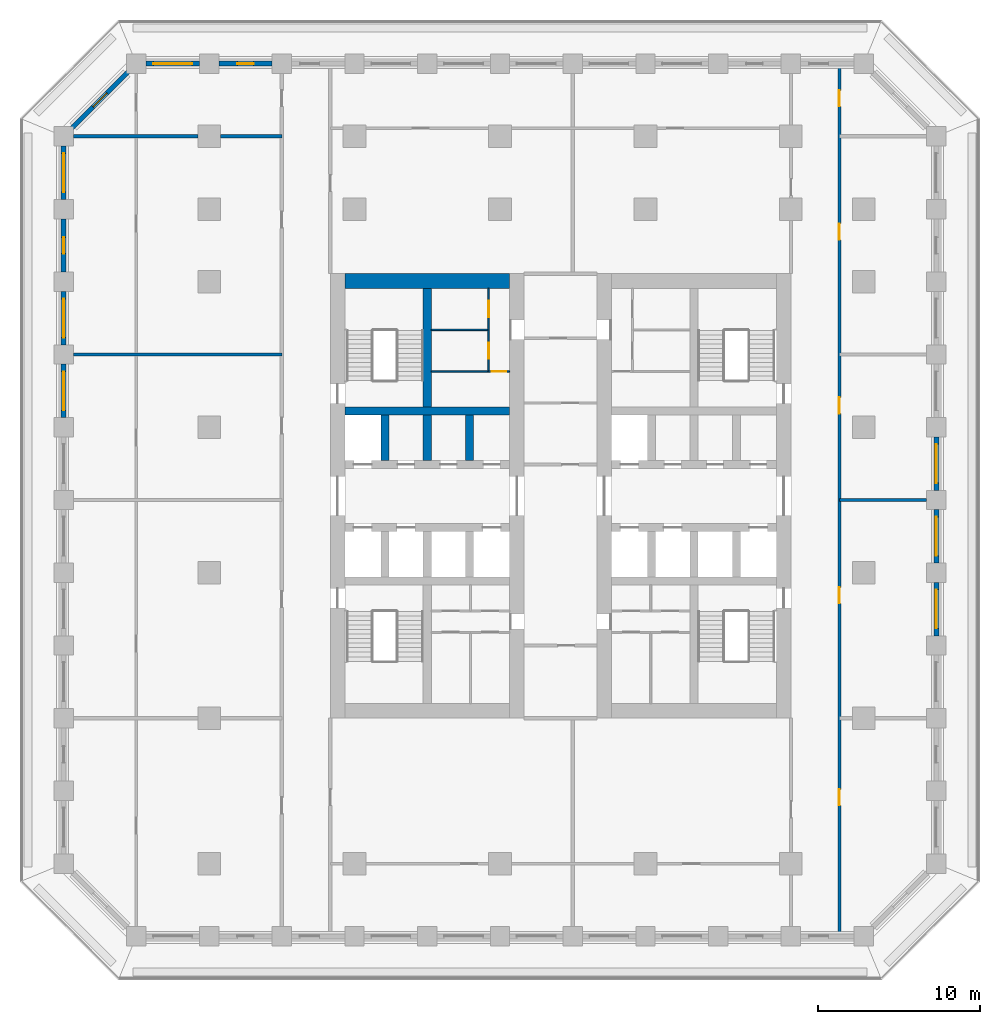
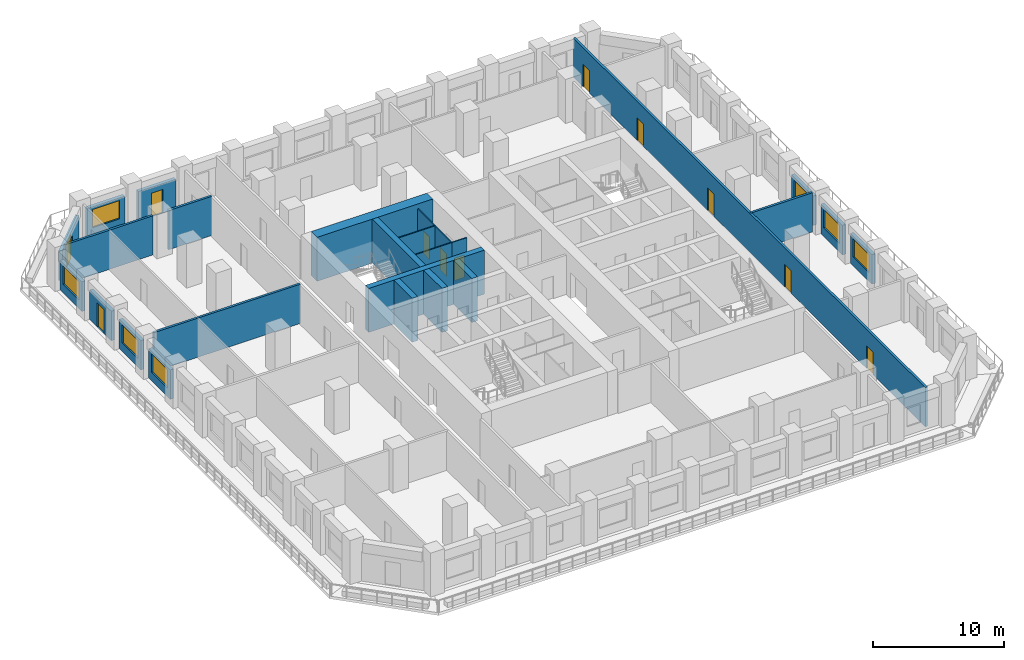
# One storey, part 6 of 16: 26 walls, 11 doors, 7 windows, 18 openings.
"""IFC4 building model written with IfcOpenShell, lengths in metres."""

from ifc_helpers import new_model, si_unit, direction, frame, frame_2d, origin, place, context, subcontext, project, spatial, rectangle, extrude, material, layer, layer_set, type_object, element, fill, save


model = new_model("IFC4")

# Units and contexts
model_context = context("Model", 3, precision=1e-05, world=origin(), true_north=direction((0.0, 1.0)))
body_context = subcontext(model_context, "Body", "Model", "MODEL_VIEW")
ifc_project = project(units=[si_unit("LENGTHUNIT", "METRE"), si_unit("AREAUNIT", "SQUARE_METRE"), si_unit("VOLUMEUNIT", "CUBIC_METRE"), si_unit("PLANEANGLEUNIT", "RADIAN"), si_unit("MASSUNIT", "GRAM", prefix="KILO")], contexts=[model_context])

# Site, building, storey
site_placement = place(None, origin())
site = spatial("IfcSite", under=ifc_project, at=site_placement, CompositionType="ELEMENT")
building_placement = place(site_placement, origin())
building = spatial("IfcBuilding", under=site, at=building_placement, Name="Corbel Stack Research Tower", CompositionType="ELEMENT")
storey_placement = place(building_placement, frame((0.0, 0.0, 137.199951171875)))
storey = spatial("IfcBuildingStorey", under=building, at=storey_placement, Name="L31", CompositionType="ELEMENT", Elevation=137.199951171875)

# Walls
ifc_material_1 = material(Name="Concrete C70/85", Category="concrete")
ifc_layer_1 = layer(ifc_material_1, 0.5)
ifc_layer_set_1 = layer_set([ifc_layer_1], Name="Concrete C70/85")
wall_type_1 = type_object("IfcWallType", Name="CW-500-70", PredefinedType="SHEAR", material=ifc_layer_set_1)
wall_1_placement = place(storey_placement, frame((-9.60009765625, 10.0, 0.0), z_axis=(0.0, 0.0, 1.0), x_axis=(1.0, 0.0, 0.0)))
element("IfcWall", 1, at=wall_1_placement, inside=storey, type_object=wall_type_1, Name="West core wall, north row back L31", PredefinedType="SHEAR", context=body_context, shape_type="SweptSolid", body=[
    extrude(rectangle(XDim=10.2001953125, YDim=0.5, at=frame_2d((5.10009765625, 0.0))), origin(), (0.0, 0.0, 1.0), 4.10009765625),
])
for number, where, z_axis, x_axis, name in (
    (2, (-7.125, 6.949951171875, 0.0), (0.0, 0.0, 1.0), (0.0, 1.0, 0.0), "West core wall, north shaft 1 L31"),
    (3, (-4.5, 6.949951171875, 0.0), (0.0, 0.0, 1.0), (0.0, 1.0, 0.0), "West core wall, north shaft 2 L31"),
    (4, (-1.875, 6.949951171875, 0.0), (0.0, 0.0, 1.0), (0.0, 1.0, 0.0), "West core wall, north shaft 3 L31"),
):
    element("IfcWall", number, at=place(storey_placement, frame(where, z_axis=z_axis, x_axis=x_axis)), inside=storey, type_object=wall_type_1, Name=name, PredefinedType="SHEAR", context=body_context, shape_type="SweptSolid", body=[
        extrude(rectangle(XDim=2.800048828125, YDim=0.5, at=frame_2d((1.39990234375, 0.0))), origin(), (0.0, 0.0, 1.0), 4.10009765625),
    ])
wall_2_placement = place(storey_placement, frame((-4.5, 10.25, 0.0), z_axis=(0.0, 0.0, 1.0), x_axis=(0.0, 1.0, 0.0)))
element("IfcWall", 5, at=wall_2_placement, inside=storey, type_object=wall_type_1, Name="West core wall, north stair and riser L31", PredefinedType="SHEAR", context=body_context, shape_type="SweptSolid", body=[
    extrude(rectangle(XDim=7.35009765625, YDim=0.5, at=frame_2d((3.675048828125, 0.0))), origin(), (0.0, 0.0, 1.0), 4.10009765625),
])
ifc_material_2 = material(Name="Concrete C70/85", Category="concrete")
ifc_layer_2 = layer(ifc_material_2, 0.89990234375)
ifc_layer_set_2 = layer_set([ifc_layer_2], Name="Concrete C70/85")
wall_type_2 = type_object("IfcWallType", Name="CW-900-70", PredefinedType="SHEAR", material=ifc_layer_set_2)
wall_3_placement = place(storey_placement, frame((-9.60009765625, 18.050048828125, 0.0), z_axis=(0.0, 0.0, 1.0), x_axis=(1.0, 0.0, 0.0)))
element("IfcWall", 6, at=wall_3_placement, inside=storey, type_object=wall_type_2, Name="West core wall, north end L31", PredefinedType="SHEAR", context=body_context, shape_type="SweptSolid", body=[
    extrude(rectangle(XDim=10.2001953125, YDim=0.89990234375, at=frame_2d((5.10009765625, 0.0))), origin(), (0.0, 0.0, 1.0), 4.10009765625),
])

# Wall, opening, door
ifc_material_3 = material(Name="Gypsum board")
ifc_layer_3 = layer(ifc_material_3, 0.10009765625)
ifc_layer_set_3 = layer_set([ifc_layer_3], Name="Gypsum board")
wall_type_3 = type_object("IfcWallType", Name="Core partition 100", PredefinedType="PARTITIONING", material=ifc_layer_set_3)
wall_4_placement = place(storey_placement, frame((-0.699951171875, 12.455078125, 0.0), z_axis=(0.0, 0.0, 1.0), x_axis=(1.0, 0.0, 0.0)))
wall_4 = element("IfcWall", 7, at=wall_4_placement, inside=storey, type_object=wall_type_3, Name="Core partition W", PredefinedType="PARTITIONING", context=body_context, shape_type="SweptSolid", body=[
    extrude(rectangle(XDim=1.300048828125, YDim=0.10009765625, at=frame_2d((0.64990234375, 0.0))), origin(), (0.0, 0.0, 1.0), 3.650146484375),
])
opening_1_placement = place(wall_4_placement, frame((0.199951171875, 0.0, 0.0)))
opening_1 = element("IfcOpeningElement", 8, at=opening_1_placement, cuts=wall_4, Name="Opening CR-W54-R1-900", PredefinedType="OPENING", context=body_context, shape_type="SweptSolid", body=[
    extrude(rectangle(XDim=0.89990234375, YDim=2.10009765625, at=frame_2d((0.449951171875, 1.050048828125))), frame((0.0, 0.06005859375, 0.0), z_axis=(0.0, -1.0, 0.0), x_axis=(1.0, 0.0, 0.0)), (0.0, 0.0, 1.0), 0.1201171875),
])
ifc_material_4 = material(Name="Painted steel door", Category="steel")
door_type_1 = type_object("IfcDoorType", Name="Riser door 900 x 2100 FD60 left hand", OperationType="SINGLE_SWING_LEFT", PredefinedType="DOOR", material=ifc_material_4)
door_1_placement = place(opening_1_placement, origin())
door_1 = element("IfcDoor", 9, at=door_1_placement, inside=storey, type_object=door_type_1, Name="Electrical riser door W core", OperationType="SINGLE_SWING_LEFT", OverallHeight=2.10009765625, OverallWidth=0.89990234375, PredefinedType="DOOR", context=body_context, shape_type="SweptSolid", body=[
    extrude(rectangle(XDim=0.89990234375, YDim=2.10009765625, at=frame_2d((0.449951171875, 1.050048828125))), frame((0.0, 0.02490234375, 0.0), z_axis=(0.0, -1.0, 0.0), x_axis=(1.0, 0.0, 0.0)), (0.0, 0.0, 1.0), 0.050048828125),
])
fill(opening_1, door_1)

# Wall
wall_5_placement = place(storey_placement, frame((-4.25, 12.455078125, 0.0), z_axis=(0.0, 0.0, 1.0), x_axis=(1.0, 0.0, 0.0)))
element("IfcWall", 10, at=wall_5_placement, inside=storey, type_object=wall_type_3, Name="Core partition W", PredefinedType="PARTITIONING", context=body_context, shape_type="SweptSolid", body=[
    extrude(rectangle(XDim=3.550048828125, YDim=0.10009765625, at=frame_2d((1.77490234375, 0.0))), origin(), (0.0, 0.0, 1.0), 3.650146484375),
])

# Wall, opening, door
wall_6_placement = place(storey_placement, frame((-0.699951171875, 12.455078125, 0.0), z_axis=(0.0, 0.0, 1.0), x_axis=(0.0, 1.0, 0.0)))
wall_6 = element("IfcWall", 11, at=wall_6_placement, inside=storey, type_object=wall_type_3, Name="Core partition W", PredefinedType="PARTITIONING", context=body_context, shape_type="SweptSolid", body=[
    extrude(rectangle(XDim=2.572509765625, YDim=0.10009765625, at=frame_2d((1.2861328125, 0.0))), origin(), (0.0, 0.0, 1.0), 3.650146484375),
])
opening_2_placement = place(wall_6_placement, frame((0.786376953125, 0.0, 0.0)))
opening_2 = element("IfcOpeningElement", 12, at=opening_2_placement, cuts=wall_6, Name="Opening CR-W54-R3-1000", PredefinedType="OPENING", context=body_context, shape_type="SweptSolid", body=[
    extrude(rectangle(XDim=1.0, YDim=2.10009765625, at=frame_2d((0.5, 1.050048828125))), frame((0.0, 0.06005859375, 0.0), z_axis=(0.0, -1.0, 0.0), x_axis=(1.0, 0.0, 0.0)), (0.0, 0.0, 1.0), 0.1201171875),
])
ifc_material_5 = material(Name="Painted steel door", Category="steel")
door_type_2 = type_object("IfcDoorType", Name="Service door 1000 x 2100 FD30 left hand", OperationType="SINGLE_SWING_LEFT", PredefinedType="DOOR", material=ifc_material_5)
door_2_placement = place(opening_2_placement, origin())
door_2 = element("IfcDoor", 13, at=door_2_placement, inside=storey, type_object=door_type_2, Name="Pantry door W core", OperationType="SINGLE_SWING_LEFT", OverallHeight=2.10009765625, OverallWidth=1.0, PredefinedType="DOOR", context=body_context, shape_type="SweptSolid", body=[
    extrude(rectangle(XDim=1.0, YDim=2.10009765625, at=frame_2d((0.5, 1.050048828125))), frame((0.0, 0.02490234375, 0.0), z_axis=(0.0, -1.0, 0.0), x_axis=(1.0, 0.0, 0.0)), (0.0, 0.0, 1.0), 0.050048828125),
])
fill(opening_2, door_2)

wall_7_placement = place(storey_placement, frame((-0.699951171875, 15.027587890625, 0.0), z_axis=(0.0, 0.0, 1.0), x_axis=(0.0, 1.0, 0.0)))
wall_7 = element("IfcWall", 14, at=wall_7_placement, inside=storey, type_object=wall_type_3, Name="Core partition W", PredefinedType="PARTITIONING", context=body_context, shape_type="SweptSolid", body=[
    extrude(rectangle(XDim=2.572509765625, YDim=0.10009765625, at=frame_2d((1.2861328125, 0.0))), origin(), (0.0, 0.0, 1.0), 3.650146484375),
])
opening_3_placement = place(wall_7_placement, frame((0.7861328125, 0.0, 0.0)))
opening_3 = element("IfcOpeningElement", 15, at=opening_3_placement, cuts=wall_7, Name="Opening CR-W54-R4-1000", PredefinedType="OPENING", context=body_context, shape_type="SweptSolid", body=[
    extrude(rectangle(XDim=1.0, YDim=2.10009765625, at=frame_2d((0.5, 1.050048828125))), frame((0.0, 0.06005859375, 0.0), z_axis=(0.0, -1.0, 0.0), x_axis=(1.0, 0.0, 0.0)), (0.0, 0.0, 1.0), 0.1201171875),
])
ifc_material_6 = material(Name="Painted steel door", Category="steel")
door_type_3 = type_object("IfcDoorType", Name="Service door 1000 x 2100 FD30 right hand", OperationType="SINGLE_SWING_RIGHT", PredefinedType="DOOR", material=ifc_material_6)
door_3_placement = place(opening_3_placement, origin())
door_3 = element("IfcDoor", 16, at=door_3_placement, inside=storey, type_object=door_type_3, Name="Copy and supply store door W core", OperationType="SINGLE_SWING_RIGHT", OverallHeight=2.10009765625, OverallWidth=1.0, PredefinedType="DOOR", context=body_context, shape_type="SweptSolid", body=[
    extrude(rectangle(XDim=1.0, YDim=2.10009765625, at=frame_2d((0.5, 1.050048828125))), frame((0.0, 0.02490234375, 0.0), z_axis=(0.0, -1.0, 0.0), x_axis=(1.0, 0.0, 0.0)), (0.0, 0.0, 1.0), 0.050048828125),
])
fill(opening_3, door_3)

# Wall
wall_8_placement = place(storey_placement, frame((-4.25, 15.027587890625, 0.0), z_axis=(0.0, 0.0, 1.0), x_axis=(1.0, 0.0, 0.0)))
element("IfcWall", 17, at=wall_8_placement, inside=storey, type_object=wall_type_3, Name="Core partition W", PredefinedType="PARTITIONING", context=body_context, shape_type="SweptSolid", body=[
    extrude(rectangle(XDim=3.550048828125, YDim=0.10009765625, at=frame_2d((1.77490234375, 0.0))), origin(), (0.0, 0.0, 1.0), 3.650146484375),
])

# Wall, openings, doors
ifc_material_7 = material(Name="Fire-rated gypsum board partition on steel studs", Category="steel")
ifc_layer_4 = layer(ifc_material_7, 0.199951171875)
ifc_layer_set_4 = layer_set([ifc_layer_4], Name="Fire-rated gypsum board partition on steel studs")
wall_type_4 = type_object("IfcWallType", Name="Fire-rated partition 200 EI 60", PredefinedType="PARTITIONING", material=ifc_layer_set_4)
wall_9_placement = place(storey_placement, frame((21.0, 31.35009765625, 0.0), z_axis=(0.0, 0.0, 1.0), x_axis=(0.0, -1.0, 0.0)))
wall_9 = element("IfcWall", 18, at=wall_9_placement, inside=storey, type_object=wall_type_4, Name="Partition L31-012", PredefinedType="PARTITIONING", context=body_context, shape_type="SweptSolid", body=[
    extrude(rectangle(XDim=53.7001953125, YDim=0.199951171875, at=frame_2d((26.85009765625, 0.0))), origin(), (0.0, 0.0, 1.0), 3.650146484375),
])
opening_4_placement = place(wall_9_placement, frame((44.75, 0.0, 0.0)))
opening_4 = element("IfcOpeningElement", 19, at=opening_4_placement, cuts=wall_9, Name="Opening B4V2-021", PredefinedType="OPENING", context=body_context, shape_type="SweptSolid", body=[
    extrude(rectangle(XDim=1.0, YDim=2.10009765625, at=frame_2d((0.5, 1.050048828125))), frame((0.0, 0.10986328125, 0.0), z_axis=(0.0, -1.0, 0.0), x_axis=(1.0, 0.0, 0.0)), (0.0, 0.0, 1.0), 0.219970703125),
])
opening_5_placement = place(wall_9_placement, frame((32.25, 0.0, 0.0)))
opening_5 = element("IfcOpeningElement", 20, at=opening_5_placement, cuts=wall_9, Name="Opening B4V2-022", PredefinedType="OPENING", context=body_context, shape_type="SweptSolid", body=[
    extrude(rectangle(XDim=1.0, YDim=2.10009765625, at=frame_2d((0.5, 1.050048828125))), frame((0.0, 0.10986328125, 0.0), z_axis=(0.0, -1.0, 0.0), x_axis=(1.0, 0.0, 0.0)), (0.0, 0.0, 1.0), 0.219970703125),
])
opening_6_placement = place(wall_9_placement, frame((20.5, 0.0, 0.0)))
opening_6 = element("IfcOpeningElement", 21, at=opening_6_placement, cuts=wall_9, Name="Opening B4V2-023", PredefinedType="OPENING", context=body_context, shape_type="SweptSolid", body=[
    extrude(rectangle(XDim=1.0, YDim=2.10009765625, at=frame_2d((0.5, 1.050048828125))), frame((0.0, 0.10986328125, 0.0), z_axis=(0.0, -1.0, 0.0), x_axis=(1.0, 0.0, 0.0)), (0.0, 0.0, 1.0), 0.219970703125),
])
opening_7_placement = place(wall_9_placement, frame((9.75, 0.0, 0.0)))
opening_7 = element("IfcOpeningElement", 22, at=opening_7_placement, cuts=wall_9, Name="Opening B4V2-024", PredefinedType="OPENING", context=body_context, shape_type="SweptSolid", body=[
    extrude(rectangle(XDim=1.0, YDim=2.10009765625, at=frame_2d((0.5, 1.050048828125))), frame((0.0, 0.10986328125, 0.0), z_axis=(0.0, -1.0, 0.0), x_axis=(1.0, 0.0, 0.0)), (0.0, 0.0, 1.0), 0.219970703125),
])
opening_8_placement = place(wall_9_placement, frame((1.5, 0.0, 0.0)))
opening_8 = element("IfcOpeningElement", 23, at=opening_8_placement, cuts=wall_9, Name="Opening B4V2-025", PredefinedType="OPENING", context=body_context, shape_type="SweptSolid", body=[
    extrude(rectangle(XDim=1.0, YDim=2.10009765625, at=frame_2d((0.5, 1.050048828125))), frame((0.0, 0.10986328125, 0.0), z_axis=(0.0, -1.0, 0.0), x_axis=(1.0, 0.0, 0.0)), (0.0, 0.0, 1.0), 0.219970703125),
])
ifc_material_8 = material(Name="Painted steel fire door", Category="steel")
door_type_4 = type_object("IfcDoorType", Name="Fire door FD30S 1000 x 2100", OperationType="NOTDEFINED", PredefinedType="DOOR", material=ifc_material_8)
door_4_placement = place(opening_4_placement, origin())
door_4 = element("IfcDoor", 24, at=door_4_placement, inside=storey, type_object=door_type_4, Name="Door B4V2-021", OperationType="SINGLE_SWING_RIGHT", OverallHeight=2.10009765625, OverallWidth=1.0, PredefinedType="DOOR", context=body_context, shape_type="SweptSolid", body=[
    extrude(rectangle(XDim=1.0, YDim=2.10009765625, at=frame_2d((0.5, 1.050048828125))), frame((0.0, 0.02490234375, 0.0), z_axis=(0.0, -1.0, 0.0), x_axis=(1.0, 0.0, 0.0)), (0.0, 0.0, 1.0), 0.050048828125),
])
fill(opening_4, door_4)
door_5_placement = place(opening_5_placement, origin())
door_5 = element("IfcDoor", 25, at=door_5_placement, inside=storey, type_object=door_type_4, Name="Door B4V2-022", OperationType="SINGLE_SWING_RIGHT", OverallHeight=2.10009765625, OverallWidth=1.0, PredefinedType="DOOR", context=body_context, shape_type="SweptSolid", body=[
    extrude(rectangle(XDim=1.0, YDim=2.10009765625, at=frame_2d((0.5, 1.050048828125))), frame((0.0, 0.02490234375, 0.0), z_axis=(0.0, -1.0, 0.0), x_axis=(1.0, 0.0, 0.0)), (0.0, 0.0, 1.0), 0.050048828125),
])
fill(opening_5, door_5)
door_6_placement = place(opening_6_placement, origin())
door_6 = element("IfcDoor", 26, at=door_6_placement, inside=storey, type_object=door_type_4, Name="Door B4V2-023", OperationType="SINGLE_SWING_LEFT", OverallHeight=2.10009765625, OverallWidth=1.0, PredefinedType="DOOR", context=body_context, shape_type="SweptSolid", body=[
    extrude(rectangle(XDim=1.0, YDim=2.10009765625, at=frame_2d((0.5, 1.050048828125))), frame((0.0, 0.02490234375, 0.0), z_axis=(0.0, -1.0, 0.0), x_axis=(1.0, 0.0, 0.0)), (0.0, 0.0, 1.0), 0.050048828125),
])
fill(opening_6, door_6)
door_7_placement = place(opening_7_placement, origin())
door_7 = element("IfcDoor", 27, at=door_7_placement, inside=storey, type_object=door_type_4, Name="Door B4V2-024", OperationType="SINGLE_SWING_LEFT", OverallHeight=2.10009765625, OverallWidth=1.0, PredefinedType="DOOR", context=body_context, shape_type="SweptSolid", body=[
    extrude(rectangle(XDim=1.0, YDim=2.10009765625, at=frame_2d((0.5, 1.050048828125))), frame((0.0, 0.02490234375, 0.0), z_axis=(0.0, -1.0, 0.0), x_axis=(1.0, 0.0, 0.0)), (0.0, 0.0, 1.0), 0.050048828125),
])
fill(opening_7, door_7)
door_8_placement = place(opening_8_placement, origin())
door_8 = element("IfcDoor", 28, at=door_8_placement, inside=storey, type_object=door_type_4, Name="Door B4V2-025", OperationType="SINGLE_SWING_LEFT", OverallHeight=2.10009765625, OverallWidth=1.0, PredefinedType="DOOR", context=body_context, shape_type="SweptSolid", body=[
    extrude(rectangle(XDim=1.0, YDim=2.10009765625, at=frame_2d((0.5, 1.050048828125))), frame((0.0, 0.02490234375, 0.0), z_axis=(0.0, -1.0, 0.0), x_axis=(1.0, 0.0, 0.0)), (0.0, 0.0, 1.0), 0.050048828125),
])
fill(opening_8, door_8)

# Walls
wall_10_placement = place(storey_placement, frame((21.0, 4.5, 0.0), z_axis=(0.0, 0.0, 1.0), x_axis=(1.0, 0.0, 0.0)))
element("IfcWall", 29, at=wall_10_placement, inside=storey, type_object=wall_type_4, Name="Partition L31-024", PredefinedType="PARTITIONING", context=body_context, shape_type="SweptSolid", body=[
    extrude(rectangle(XDim=5.39990234375, YDim=0.199951171875, at=frame_2d((2.699951171875, 0.0))), origin(), (0.0, 0.0, 1.0), 3.650146484375),
])
wall_11_placement = place(storey_placement, frame((-26.39990234375, 13.5, 0.0), z_axis=(0.0, 0.0, 1.0), x_axis=(1.0, 0.0, 0.0)))
element("IfcWall", 30, at=wall_11_placement, inside=storey, type_object=wall_type_4, Name="Partition L31-027", PredefinedType="PARTITIONING", context=body_context, shape_type="SweptSolid", body=[
    extrude(rectangle(XDim=12.89990234375, YDim=0.199951171875, at=frame_2d((6.449951171875, 0.0))), origin(), (0.0, 0.0, 1.0), 3.650146484375),
])
wall_12_placement = place(storey_placement, frame((-26.39990234375, 27.0, 0.0), z_axis=(0.0, 0.0, 1.0), x_axis=(1.0, 0.0, 0.0)))
element("IfcWall", 31, at=wall_12_placement, inside=storey, type_object=wall_type_4, Name="Partition L31-031", PredefinedType="PARTITIONING", context=body_context, shape_type="SweptSolid", body=[
    extrude(rectangle(XDim=7.699951171875, YDim=0.199951171875, at=frame_2d((3.85009765625, 0.0))), origin(), (0.0, 0.0, 1.0), 3.650146484375),
])
wall_13_placement = place(storey_placement, frame((-17.300048828125, 27.0, 0.0), z_axis=(0.0, 0.0, 1.0), x_axis=(1.0, 0.0, 0.0)))
element("IfcWall", 32, at=wall_13_placement, inside=storey, type_object=wall_type_4, Name="Partition L31-032", PredefinedType="PARTITIONING", context=body_context, shape_type="SweptSolid", body=[
    extrude(rectangle(XDim=3.800048828125, YDim=0.199951171875, at=frame_2d((1.89990234375, 0.0))), origin(), (0.0, 0.0, 1.0), 3.650146484375),
])

# Wall, opening, window
ifc_material_9 = material(Name="Concrete C45/55", Category="concrete")
ifc_layer_5 = layer(ifc_material_9, 0.300048828125)
ifc_layer_set_5 = layer_set([ifc_layer_5], Name="Concrete C45/55")
wall_type_5 = type_object("IfcWallType", Name="Terracotta-faced concrete wall 300", PredefinedType="SOLIDWALL", material=ifc_layer_set_5)
wall_14_placement = place(storey_placement, frame((27.0, -0.60009765625, 0.0), z_axis=(0.0, 0.0, 1.0), x_axis=(0.0, -1.0, 0.0)))
wall_14 = element("IfcWall", 33, at=wall_14_placement, inside=storey, type_object=wall_type_5, Name="Facade wall L31 E04", PredefinedType="SOLIDWALL", context=body_context, shape_type="SweptSolid", body=[
    extrude(rectangle(XDim=3.2998046875, YDim=0.300048828125, at=frame_2d((1.64990234375, 0.0))), origin(), (0.0, 0.0, 1.0), 2.75),
])
opening_9_placement = place(wall_14_placement, frame((0.449951171875, 0.0, 0.800048828125)))
opening_9 = element("IfcOpeningElement", 34, at=opening_9_placement, cuts=wall_14, Name="Opening W1", PredefinedType="OPENING", context=body_context, shape_type="SweptSolid", body=[
    extrude(rectangle(XDim=2.39990234375, YDim=1.699951171875, at=frame_2d((1.199951171875, 0.85009765625))), frame((0.0, 0.159912109375, 0.0), z_axis=(0.0, -1.0, 0.0), x_axis=(1.0, 0.0, 0.0)), (0.0, 0.0, 1.0), 0.320068359375),
])
ifc_material_10 = material(Name="Aluminium frame, clear double glazing", Category="aluminium")
window_type = type_object("IfcWindowType", Name="Window W1 2400 x 1700", PartitioningType="SINGLE_PANEL", PredefinedType="WINDOW", material=ifc_material_10)
window_1_placement = place(opening_9_placement, origin())
window_1 = element("IfcWindow", 35, at=window_1_placement, inside=storey, type_object=window_type, Name="Window W1 L31 E04", OverallHeight=1.699951171875, OverallWidth=2.39990234375, PartitioningType="SINGLE_PANEL", PredefinedType="WINDOW", context=body_context, shape_type="SweptSolid", body=[
    extrude(rectangle(XDim=2.39990234375, YDim=1.699951171875, at=frame_2d((1.199951171875, 0.85009765625))), frame((0.0, 0.030029296875, 0.0), z_axis=(0.0, -1.0, 0.0), x_axis=(1.0, 0.0, 0.0)), (0.0, 0.0, 1.0), 0.06005859375),
])
fill(opening_9, window_1)

wall_15_placement = place(storey_placement, frame((27.0, 3.89990234375, 0.0), z_axis=(0.0, 0.0, 1.0), x_axis=(0.0, -1.0, 0.0)))
wall_15 = element("IfcWall", 36, at=wall_15_placement, inside=storey, type_object=wall_type_5, Name="Facade wall L31 E05", PredefinedType="SOLIDWALL", context=body_context, shape_type="SweptSolid", body=[
    extrude(rectangle(XDim=3.2998046875, YDim=0.300048828125, at=frame_2d((1.64990234375, 0.0))), origin(), (0.0, 0.0, 1.0), 2.75),
])
opening_10_placement = place(wall_15_placement, frame((0.449951171875, 0.0, 0.800048828125)))
opening_10 = element("IfcOpeningElement", 37, at=opening_10_placement, cuts=wall_15, Name="Opening W1", PredefinedType="OPENING", context=body_context, shape_type="SweptSolid", body=[
    extrude(rectangle(XDim=2.39990234375, YDim=1.699951171875, at=frame_2d((1.199951171875, 0.85009765625))), frame((0.0, 0.159912109375, 0.0), z_axis=(0.0, -1.0, 0.0), x_axis=(1.0, 0.0, 0.0)), (0.0, 0.0, 1.0), 0.320068359375),
])
window_2_placement = place(opening_10_placement, origin())
window_2 = element("IfcWindow", 38, at=window_2_placement, inside=storey, type_object=window_type, Name="Window W1 L31 E05", OverallHeight=1.699951171875, OverallWidth=2.39990234375, PartitioningType="SINGLE_PANEL", PredefinedType="WINDOW", context=body_context, shape_type="SweptSolid", body=[
    extrude(rectangle(XDim=2.39990234375, YDim=1.699951171875, at=frame_2d((1.199951171875, 0.85009765625))), frame((0.0, 0.030029296875, 0.0), z_axis=(0.0, -1.0, 0.0), x_axis=(1.0, 0.0, 0.0)), (0.0, 0.0, 1.0), 0.06005859375),
])
fill(opening_10, window_2)

wall_16_placement = place(storey_placement, frame((27.0, 8.39990234375, 0.0), z_axis=(0.0, 0.0, 1.0), x_axis=(0.0, -1.0, 0.0)))
wall_16 = element("IfcWall", 39, at=wall_16_placement, inside=storey, type_object=wall_type_5, Name="Facade wall L31 E06", PredefinedType="SOLIDWALL", context=body_context, shape_type="SweptSolid", body=[
    extrude(rectangle(XDim=3.2998046875, YDim=0.300048828125, at=frame_2d((1.64990234375, 0.0))), origin(), (0.0, 0.0, 1.0), 2.75),
])
opening_11_placement = place(wall_16_placement, frame((0.449951171875, 0.0, 0.800048828125)))
opening_11 = element("IfcOpeningElement", 40, at=opening_11_placement, cuts=wall_16, Name="Opening W1", PredefinedType="OPENING", context=body_context, shape_type="SweptSolid", body=[
    extrude(rectangle(XDim=2.39990234375, YDim=1.699951171875, at=frame_2d((1.199951171875, 0.85009765625))), frame((0.0, 0.159912109375, 0.0), z_axis=(0.0, -1.0, 0.0), x_axis=(1.0, 0.0, 0.0)), (0.0, 0.0, 1.0), 0.320068359375),
])
window_3_placement = place(opening_11_placement, origin())
window_3 = element("IfcWindow", 41, at=window_3_placement, inside=storey, type_object=window_type, Name="Window W1 L31 E06", OverallHeight=1.699951171875, OverallWidth=2.39990234375, PartitioningType="SINGLE_PANEL", PredefinedType="WINDOW", context=body_context, shape_type="SweptSolid", body=[
    extrude(rectangle(XDim=2.39990234375, YDim=1.699951171875, at=frame_2d((1.199951171875, 0.85009765625))), frame((0.0, 0.030029296875, 0.0), z_axis=(0.0, -1.0, 0.0), x_axis=(1.0, 0.0, 0.0)), (0.0, 0.0, 1.0), 0.06005859375),
])
fill(opening_11, window_3)

# Wall, opening, door
wall_17_placement = place(storey_placement, frame((-17.39990234375, 31.5, 0.0), z_axis=(0.0, 0.0, 1.0), x_axis=(1.0, 0.0, 0.0)))
wall_17 = element("IfcWall", 42, at=wall_17_placement, inside=storey, type_object=wall_type_5, Name="Facade wall L31 N09", PredefinedType="SOLIDWALL", context=body_context, shape_type="SweptSolid", body=[
    extrude(rectangle(XDim=3.2998046875, YDim=0.300048828125, at=frame_2d((1.64990234375, 0.0))), origin(), (0.0, 0.0, 1.0), 2.75),
])
opening_12_placement = place(wall_17_placement, frame((1.14990234375, 0.0, 0.0)))
opening_12 = element("IfcOpeningElement", 43, at=opening_12_placement, cuts=wall_17, Name="Opening L31-B08", PredefinedType="OPENING", context=body_context, shape_type="SweptSolid", body=[
    extrude(rectangle(XDim=1.0, YDim=2.199951171875, at=frame_2d((0.5, 1.10009765625))), frame((0.0, 0.159912109375, 0.0), z_axis=(0.0, -1.0, 0.0), x_axis=(1.0, 0.0, 0.0)), (0.0, 0.0, 1.0), 0.320068359375),
])
ifc_material_11 = material(Name="Aluminium frame, clear double glazing", Category="aluminium")
door_type_5 = type_object("IfcDoorType", Name="Balcony door BD1 1000 x 2200", OperationType="NOTDEFINED", PredefinedType="DOOR", material=ifc_material_11)
door_9_placement = place(opening_12_placement, origin())
door_9 = element("IfcDoor", 44, at=door_9_placement, inside=storey, type_object=door_type_5, Name="Balcony door L31-B08", OperationType="SINGLE_SWING_RIGHT", OverallHeight=2.199951171875, OverallWidth=1.0, PredefinedType="DOOR", context=body_context, shape_type="SweptSolid", body=[
    extrude(rectangle(XDim=1.0, YDim=2.199951171875, at=frame_2d((0.5, 1.10009765625))), frame((0.0, 0.02490234375, 0.0), z_axis=(0.0, -1.0, 0.0), x_axis=(1.0, 0.0, 0.0)), (0.0, 0.0, 1.0), 0.050048828125),
])
fill(opening_12, door_9)

# Wall, opening, window
wall_18_placement = place(storey_placement, frame((-21.89990234375, 31.5, 0.0), z_axis=(0.0, 0.0, 1.0), x_axis=(1.0, 0.0, 0.0)))
wall_18 = element("IfcWall", 45, at=wall_18_placement, inside=storey, type_object=wall_type_5, Name="Facade wall L31 N10", PredefinedType="SOLIDWALL", context=body_context, shape_type="SweptSolid", body=[
    extrude(rectangle(XDim=3.2998046875, YDim=0.300048828125, at=frame_2d((1.64990234375, 0.0))), origin(), (0.0, 0.0, 1.0), 2.75),
])
opening_13_placement = place(wall_18_placement, frame((0.449951171875, 0.0, 0.800048828125)))
opening_13 = element("IfcOpeningElement", 46, at=opening_13_placement, cuts=wall_18, Name="Opening W1", PredefinedType="OPENING", context=body_context, shape_type="SweptSolid", body=[
    extrude(rectangle(XDim=2.39990234375, YDim=1.699951171875, at=frame_2d((1.199951171875, 0.85009765625))), frame((0.0, 0.159912109375, 0.0), z_axis=(0.0, -1.0, 0.0), x_axis=(1.0, 0.0, 0.0)), (0.0, 0.0, 1.0), 0.320068359375),
])
window_4_placement = place(opening_13_placement, origin())
window_4 = element("IfcWindow", 47, at=window_4_placement, inside=storey, type_object=window_type, Name="Window W1 L31 N10", OverallHeight=1.699951171875, OverallWidth=2.39990234375, PartitioningType="SINGLE_PANEL", PredefinedType="WINDOW", context=body_context, shape_type="SweptSolid", body=[
    extrude(rectangle(XDim=2.39990234375, YDim=1.699951171875, at=frame_2d((1.199951171875, 0.85009765625))), frame((0.0, 0.030029296875, 0.0), z_axis=(0.0, -1.0, 0.0), x_axis=(1.0, 0.0, 0.0)), (0.0, 0.0, 1.0), 0.06005859375),
])
fill(opening_13, window_4)

# Wall, opening, door
wall_19_placement = place(storey_placement, frame((-26.506103515625, 27.493896484375, 0.0), z_axis=(0.0, 0.0, 1.0), x_axis=(0.707106781187, 0.707106781187, 0.0)))
wall_19 = element("IfcWall", 48, at=wall_19_placement, inside=storey, type_object=wall_type_5, Name="Facade wall L31 NW01", PredefinedType="SOLIDWALL", context=body_context, shape_type="SweptSolid", body=[
    extrude(rectangle(XDim=4.967041015625, YDim=0.300048828125, at=frame_2d((2.4833984375, 0.0))), origin(), (0.0, 0.0, 1.0), 2.75),
])
opening_14_placement = place(wall_19_placement, frame((1.883544921875, 0.0, 0.0)))
opening_14 = element("IfcOpeningElement", 49, at=opening_14_placement, cuts=wall_19, Name="Opening L31-B09", PredefinedType="OPENING", context=body_context, shape_type="SweptSolid", body=[
    extrude(rectangle(XDim=1.199951171875, YDim=2.199951171875, at=frame_2d((0.60009765625, 1.10009765625))), frame((0.0, 0.159912109375, 0.0), z_axis=(0.0, -1.0, 0.0), x_axis=(1.0, 0.0, 0.0)), (0.0, 0.0, 1.0), 0.320068359375),
])
ifc_material_12 = material(Name="Aluminium frame, clear double glazing", Category="aluminium")
door_type_6 = type_object("IfcDoorType", Name="Balcony door BD2 1200 x 2200", OperationType="NOTDEFINED", PredefinedType="DOOR", material=ifc_material_12)
door_10_placement = place(opening_14_placement, origin())
door_10 = element("IfcDoor", 50, at=door_10_placement, inside=storey, type_object=door_type_6, Name="Balcony door L31-B09", OperationType="SINGLE_SWING_RIGHT", OverallHeight=2.199951171875, OverallWidth=1.199951171875, PredefinedType="DOOR", context=body_context, shape_type="SweptSolid", body=[
    extrude(rectangle(XDim=1.199951171875, YDim=2.199951171875, at=frame_2d((0.60009765625, 1.10009765625))), frame((0.0, 0.02490234375, 0.0), z_axis=(0.0, -1.0, 0.0), x_axis=(1.0, 0.0, 0.0)), (0.0, 0.0, 1.0), 0.050048828125),
])
fill(opening_14, door_10)

# Wall, opening, window
wall_20_placement = place(storey_placement, frame((-27.0, 23.10009765625, 0.0), z_axis=(0.0, 0.0, 1.0), x_axis=(0.0, 1.0, 0.0)))
wall_20 = element("IfcWall", 51, at=wall_20_placement, inside=storey, type_object=wall_type_5, Name="Facade wall L31 W01", PredefinedType="SOLIDWALL", context=body_context, shape_type="SweptSolid", body=[
    extrude(rectangle(XDim=3.2998046875, YDim=0.300048828125, at=frame_2d((1.64990234375, 0.0))), origin(), (0.0, 0.0, 1.0), 2.75),
])
opening_15_placement = place(wall_20_placement, frame((0.449951171875, 0.0, 0.800048828125)))
opening_15 = element("IfcOpeningElement", 52, at=opening_15_placement, cuts=wall_20, Name="Opening W1", PredefinedType="OPENING", context=body_context, shape_type="SweptSolid", body=[
    extrude(rectangle(XDim=2.39990234375, YDim=1.699951171875, at=frame_2d((1.199951171875, 0.85009765625))), frame((0.0, 0.159912109375, 0.0), z_axis=(0.0, -1.0, 0.0), x_axis=(1.0, 0.0, 0.0)), (0.0, 0.0, 1.0), 0.320068359375),
])
window_5_placement = place(opening_15_placement, origin())
window_5 = element("IfcWindow", 53, at=window_5_placement, inside=storey, type_object=window_type, Name="Window W1 L31 W01", OverallHeight=1.699951171875, OverallWidth=2.39990234375, PartitioningType="SINGLE_PANEL", PredefinedType="WINDOW", context=body_context, shape_type="SweptSolid", body=[
    extrude(rectangle(XDim=2.39990234375, YDim=1.699951171875, at=frame_2d((1.199951171875, 0.85009765625))), frame((0.0, 0.030029296875, 0.0), z_axis=(0.0, -1.0, 0.0), x_axis=(1.0, 0.0, 0.0)), (0.0, 0.0, 1.0), 0.06005859375),
])
fill(opening_15, window_5)

# Wall, opening, door
wall_21_placement = place(storey_placement, frame((-27.0, 18.60009765625, 0.0), z_axis=(0.0, 0.0, 1.0), x_axis=(0.0, 1.0, 0.0)))
wall_21 = element("IfcWall", 54, at=wall_21_placement, inside=storey, type_object=wall_type_5, Name="Facade wall L31 W02", PredefinedType="SOLIDWALL", context=body_context, shape_type="SweptSolid", body=[
    extrude(rectangle(XDim=3.2998046875, YDim=0.300048828125, at=frame_2d((1.64990234375, 0.0))), origin(), (0.0, 0.0, 1.0), 2.75),
])
opening_16_placement = place(wall_21_placement, frame((1.14990234375, 0.0, 0.0)))
opening_16 = element("IfcOpeningElement", 55, at=opening_16_placement, cuts=wall_21, Name="Opening L31-B10", PredefinedType="OPENING", context=body_context, shape_type="SweptSolid", body=[
    extrude(rectangle(XDim=1.0, YDim=2.199951171875, at=frame_2d((0.5, 1.10009765625))), frame((0.0, 0.159912109375, 0.0), z_axis=(0.0, -1.0, 0.0), x_axis=(1.0, 0.0, 0.0)), (0.0, 0.0, 1.0), 0.320068359375),
])
door_11_placement = place(opening_16_placement, origin())
door_11 = element("IfcDoor", 56, at=door_11_placement, inside=storey, type_object=door_type_5, Name="Balcony door L31-B10", OperationType="SINGLE_SWING_LEFT", OverallHeight=2.199951171875, OverallWidth=1.0, PredefinedType="DOOR", context=body_context, shape_type="SweptSolid", body=[
    extrude(rectangle(XDim=1.0, YDim=2.199951171875, at=frame_2d((0.5, 1.10009765625))), frame((0.0, 0.02490234375, 0.0), z_axis=(0.0, -1.0, 0.0), x_axis=(1.0, 0.0, 0.0)), (0.0, 0.0, 1.0), 0.050048828125),
])
fill(opening_16, door_11)

# Wall, opening, window
wall_22_placement = place(storey_placement, frame((-27.0, 14.10009765625, 0.0), z_axis=(0.0, 0.0, 1.0), x_axis=(0.0, 1.0, 0.0)))
wall_22 = element("IfcWall", 57, at=wall_22_placement, inside=storey, type_object=wall_type_5, Name="Facade wall L31 W03", PredefinedType="SOLIDWALL", context=body_context, shape_type="SweptSolid", body=[
    extrude(rectangle(XDim=3.2998046875, YDim=0.300048828125, at=frame_2d((1.64990234375, 0.0))), origin(), (0.0, 0.0, 1.0), 2.75),
])
opening_17_placement = place(wall_22_placement, frame((0.449951171875, 0.0, 0.800048828125)))
opening_17 = element("IfcOpeningElement", 58, at=opening_17_placement, cuts=wall_22, Name="Opening W1", PredefinedType="OPENING", context=body_context, shape_type="SweptSolid", body=[
    extrude(rectangle(XDim=2.39990234375, YDim=1.699951171875, at=frame_2d((1.199951171875, 0.85009765625))), frame((0.0, 0.159912109375, 0.0), z_axis=(0.0, -1.0, 0.0), x_axis=(1.0, 0.0, 0.0)), (0.0, 0.0, 1.0), 0.320068359375),
])
window_6_placement = place(opening_17_placement, origin())
window_6 = element("IfcWindow", 59, at=window_6_placement, inside=storey, type_object=window_type, Name="Window W1 L31 W03", OverallHeight=1.699951171875, OverallWidth=2.39990234375, PartitioningType="SINGLE_PANEL", PredefinedType="WINDOW", context=body_context, shape_type="SweptSolid", body=[
    extrude(rectangle(XDim=2.39990234375, YDim=1.699951171875, at=frame_2d((1.199951171875, 0.85009765625))), frame((0.0, 0.030029296875, 0.0), z_axis=(0.0, -1.0, 0.0), x_axis=(1.0, 0.0, 0.0)), (0.0, 0.0, 1.0), 0.06005859375),
])
fill(opening_17, window_6)

wall_23_placement = place(storey_placement, frame((-27.0, 9.60009765625, 0.0), z_axis=(0.0, 0.0, 1.0), x_axis=(0.0, 1.0, 0.0)))
wall_23 = element("IfcWall", 60, at=wall_23_placement, inside=storey, type_object=wall_type_5, Name="Facade wall L31 W04", PredefinedType="SOLIDWALL", context=body_context, shape_type="SweptSolid", body=[
    extrude(rectangle(XDim=3.2998046875, YDim=0.300048828125, at=frame_2d((1.64990234375, 0.0))), origin(), (0.0, 0.0, 1.0), 2.75),
])
opening_18_placement = place(wall_23_placement, frame((0.449951171875, 0.0, 0.800048828125)))
opening_18 = element("IfcOpeningElement", 61, at=opening_18_placement, cuts=wall_23, Name="Opening W1", PredefinedType="OPENING", context=body_context, shape_type="SweptSolid", body=[
    extrude(rectangle(XDim=2.39990234375, YDim=1.699951171875, at=frame_2d((1.199951171875, 0.85009765625))), frame((0.0, 0.159912109375, 0.0), z_axis=(0.0, -1.0, 0.0), x_axis=(1.0, 0.0, 0.0)), (0.0, 0.0, 1.0), 0.320068359375),
])
window_7_placement = place(opening_18_placement, origin())
window_7 = element("IfcWindow", 62, at=window_7_placement, inside=storey, type_object=window_type, Name="Window W1 L31 W04", OverallHeight=1.699951171875, OverallWidth=2.39990234375, PartitioningType="SINGLE_PANEL", PredefinedType="WINDOW", context=body_context, shape_type="SweptSolid", body=[
    extrude(rectangle(XDim=2.39990234375, YDim=1.699951171875, at=frame_2d((1.199951171875, 0.85009765625))), frame((0.0, 0.030029296875, 0.0), z_axis=(0.0, -1.0, 0.0), x_axis=(1.0, 0.0, 0.0)), (0.0, 0.0, 1.0), 0.06005859375),
])
fill(opening_18, window_7)

save(model, "model.ifc")
